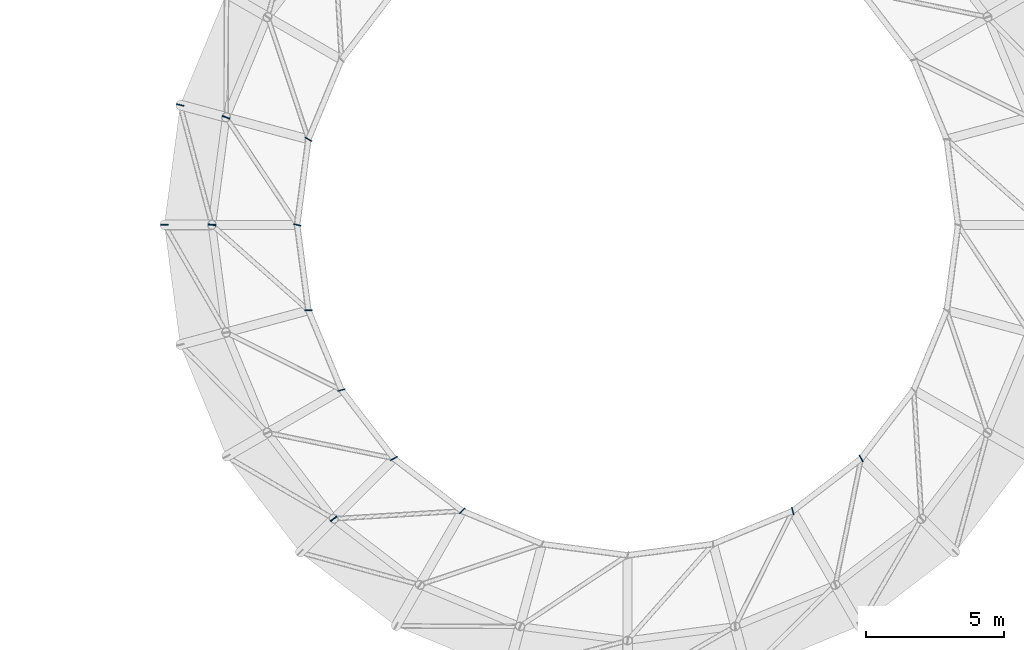
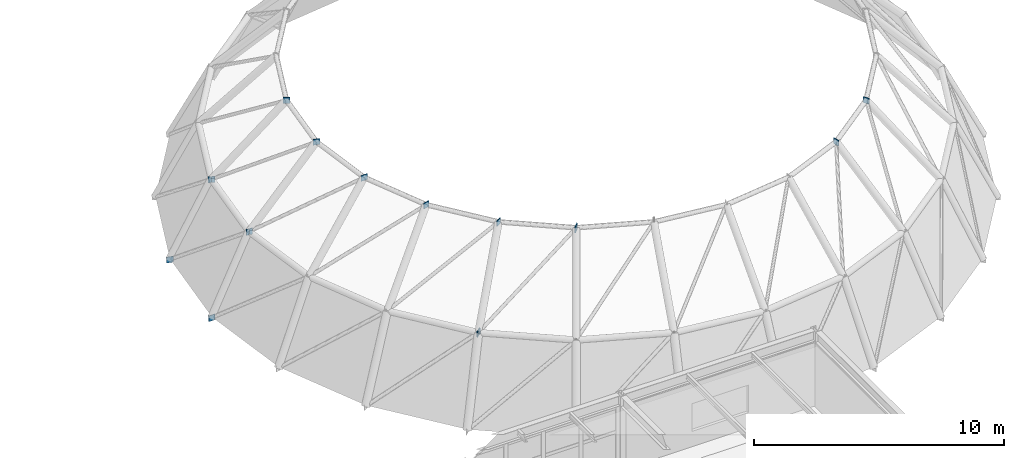
# One storey, part 39 of 48: 16 discrete accessories.
"""IFC4 building model written with IfcOpenShell, lengths in metres."""

from ifc_helpers import new_model, si_unit, direction, frame, origin, origin_2d, place, context, subcontext, project, spatial, rectangle, extrude, material, type_object, element, save


model = new_model("IFC4")

# Units and contexts
model_context = context("Model", 3, precision=1e-05, world=origin(), true_north=direction((0.0, 1.0)))
body_context = subcontext(model_context, "Body", "Model", "MODEL_VIEW")
ifc_project = project(units=[si_unit("LENGTHUNIT", "METRE"), si_unit("AREAUNIT", "SQUARE_METRE"), si_unit("VOLUMEUNIT", "CUBIC_METRE"), si_unit("PLANEANGLEUNIT", "RADIAN"), si_unit("MASSUNIT", "GRAM", prefix="KILO")], contexts=[model_context])

# Site, building, storey
site_placement = place(None, origin())
site = spatial("IfcSite", under=ifc_project, at=site_placement, CompositionType="ELEMENT")
building_placement = place(site_placement, origin())
building = spatial("IfcBuilding", under=site, at=building_placement, Name="Kandorven Conservatory and Botanical Research Centre", CompositionType="ELEMENT")
storey_placement = place(building_placement, frame((0.0, 0.0, 13.199951171875)))
storey = spatial("IfcBuildingStorey", under=building, at=storey_placement, Name="L03", CompositionType="ELEMENT", Elevation=13.199951171875)

# Discrete accessories
ifc_material = material(Name="Steel S355 (IS 2062 E350)", Category="steel")
discrete_accessory_type = type_object("IfcDiscreteAccessoryType", Name="BraceGussetPlate", PredefinedType="BRACKET", material=ifc_material)
for number, where, z_axis, x_axis, name in (
    (1, (73.014404296875, 51.708251953125, 1.06005859375), (0.0, 0.0, 1.0), (-0.866025403784, 0.5, 0.0), "Conservatory dome node gusset plate T1-S11-B"),
    (2, (71.348388671875, 52.154541015625, -2.5400390625), (0.0, 0.0, 1.0), (-0.965925826289, 0.258819045103, 0.0), "Conservatory dome node gusset plate T1-S12-A"),
    (3, (72.5, 47.800048828125, 1.06005859375), (0.0, 0.0, 1.0), (-0.965925826289, 0.258819045103, 0.0), "Conservatory dome node gusset plate T1-S12-B"),
    (4, (70.77490234375, 47.800048828125, -2.5400390625), (0.0, 0.0, 1.0), (-1.0, 0.0, 0.0), "Conservatory dome node gusset plate T1-S13-A"),
    (5, (76.922607421875, 37.122802734375, 1.06005859375), (0.0, 0.0, 1.0), (-0.866025403784, -0.5, 0.0), "Conservatory dome node gusset plate T1-S15-B"),
    (6, (76.0087890625, 50.90576171875, 4.35986328125), (0.0, 0.0, 1.0), (-0.866025403784, 0.5, 0.0), "Conservatory dome node gusset plate T2-S11-B"),
    (7, (73.014404296875, 51.708251953125, 1.06005859375), (0.0, 0.0, 1.0), (-0.965925826289, 0.258819045103, 0.0), "Conservatory dome node gusset plate T2-S12-A"),
    (8, (75.60009765625, 47.800048828125, 4.35986328125), (0.0, 0.0, 1.0), (-0.965925826289, 0.258819045103, 0.0), "Conservatory dome node gusset plate T2-S12-B"),
    (9, (72.5, 47.800048828125, 1.06005859375), (0.0, 0.0, 1.0), (-1.0, 0.0, 0.0), "Conservatory dome node gusset plate T2-S13-A"),
    (10, (76.0087890625, 44.694091796875, 4.35986328125), (0.0, 0.0, 1.0), (-1.0, 0.0, 0.0), "Conservatory dome node gusset plate T2-S13-B"),
    (11, (77.207763671875, 41.800048828125, 4.35986328125), (0.0, 0.0, 1.0), (-0.965925826289, -0.258819045103, 0.0), "Conservatory dome node gusset plate T2-S14-B"),
    (12, (79.11474609375, 39.314697265625, 4.35986328125), (0.0, 0.0, 1.0), (-0.866025403784, -0.5, 0.0), "Conservatory dome node gusset plate T2-S15-B"),
    (13, (76.922607421875, 37.122802734375, 1.06005859375), (0.0, 0.0, 1.0), (-0.707106781187, -0.707106781187, 0.0), "Conservatory dome node gusset plate T2-S16-A"),
    (14, (81.60009765625, 37.40771484375, 4.35986328125), (0.0, 0.0, 1.0), (-0.707106781187, -0.707106781187, 0.0), "Conservatory dome node gusset plate T2-S16-B"),
    (15, (93.60009765625, 37.40771484375, 4.35986328125), (0.0, 0.0, 1.0), (0.258819045103, -0.965925826289, 0.0), "Conservatory dome node gusset plate T2-S20-B"),
    (16, (96.085205078125, 39.314697265625, 4.35986328125), (0.0, 0.0, 1.0), (0.5, -0.866025403784, 0.0), "Conservatory dome node gusset plate T2-S21-B"),
):
    element("IfcDiscreteAccessory", number, at=place(storey_placement, frame(where, z_axis=z_axis, x_axis=x_axis)), inside=storey, type_object=discrete_accessory_type, Name=name, PredefinedType="BRACKET", context=body_context, shape_type="SweptSolid", body=[
        extrude(rectangle(XDim=0.280029296875, YDim=0.028076171875, at=origin_2d()), origin(), (0.0, 0.0, 1.0), 0.280029296875),
    ])

save(model, "model.ifc")
